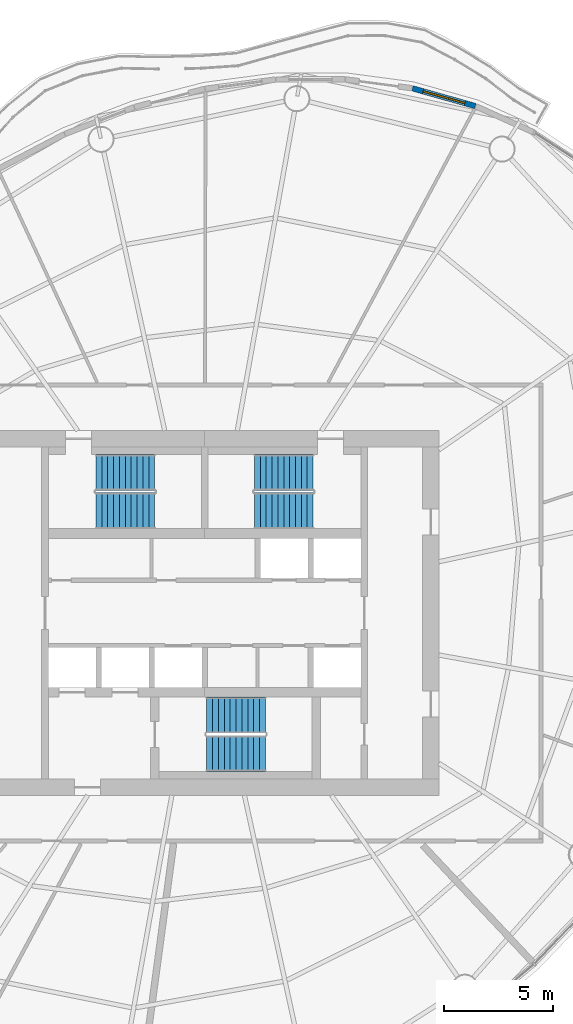
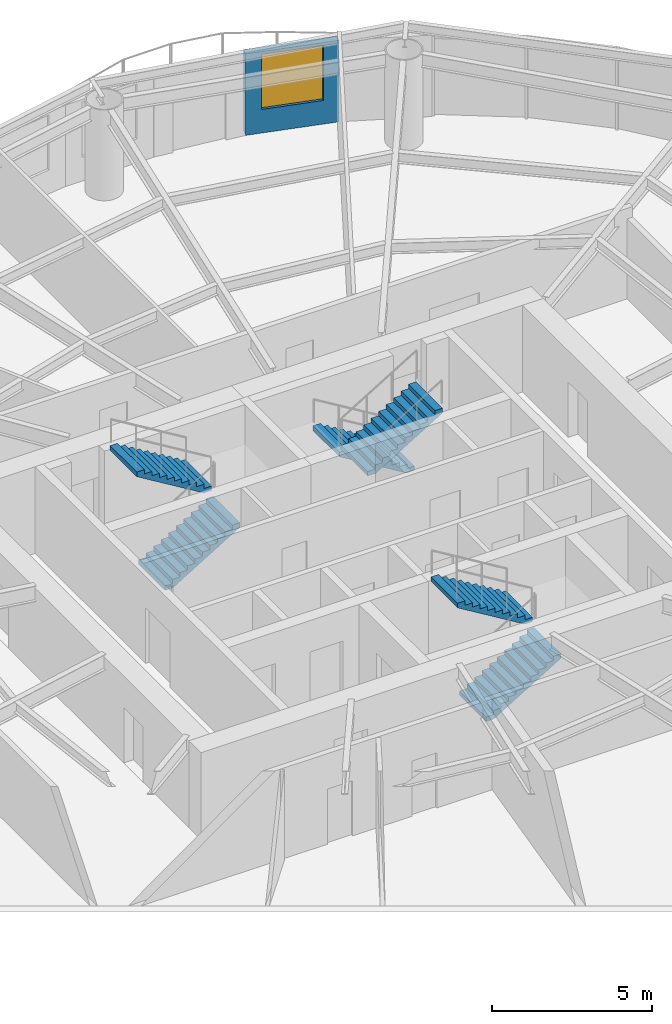
# One storey, part 11 of 14: 6 stair flights, 1 wall, 1 window, 1 opening, 3 elements without a shape of their own.
"""IFC4 building model written with IfcOpenShell, lengths in metres."""

from ifc_helpers import new_model, si_unit, direction, frame, frame_2d, origin, place, context, subcontext, project, spatial, polyline, rectangle, outline, extrude, material, layer, layer_set, type_object, element, fill, aggregate, save


model = new_model("IFC4")

# Units and contexts
model_context = context("Model", 3, precision=1e-05, world=origin(), true_north=direction((0.0, 1.0)))
body_context = subcontext(model_context, "Body", "Model", "MODEL_VIEW")
ifc_project = project(units=[si_unit("LENGTHUNIT", "METRE"), si_unit("AREAUNIT", "SQUARE_METRE"), si_unit("VOLUMEUNIT", "CUBIC_METRE"), si_unit("PLANEANGLEUNIT", "RADIAN"), si_unit("MASSUNIT", "GRAM", prefix="KILO")], contexts=[model_context])

# Site, building, storey
site_placement = place(None, origin())
site = spatial("IfcSite", under=ifc_project, at=site_placement, CompositionType="ELEMENT")
building_placement = place(site_placement, origin())
building = spatial("IfcBuilding", under=site, at=building_placement, Name="Vermilion Reach Broadcast Tower", CompositionType="ELEMENT")
storey_placement = place(building_placement, frame((0.0, 0.0, 206.5)))
storey = spatial("IfcBuildingStorey", under=building, at=storey_placement, Name="L50", CompositionType="ELEMENT", Elevation=206.5)

# Wall, opening, window
ifc_material_1 = material(Name="Terracotta rainscreen cladding", Category="masonry")
ifc_layer = layer(ifc_material_1, 0.25)
ifc_layer_set = layer_set([ifc_layer], Name="Terracotta rainscreen wall 250")
wall_type = type_object("IfcWallType", Name="Terracotta rainscreen wall 250", PredefinedType="SOLIDWALL", material=ifc_layer_set)
wall_placement = place(storey_placement, frame((6.47509765625, 23.349365234375, 0.0), z_axis=(0.0, 0.0, 1.0), x_axis=(-0.962400743331, 0.271633593717, 0.0)))
wall = element("IfcWall", 1, at=wall_placement, inside=storey, type_object=wall_type, Name="External wall L50 03", PredefinedType="SOLIDWALL", context=body_context, shape_type="SweptSolid", body=[
    extrude(rectangle(XDim=3.009033203125, YDim=0.25, at=frame_2d((1.50439453125, 0.0))), origin(), (0.0, 0.0, 1.0), 3.10009765625),
])
opening_placement = place(wall_placement, frame((0.50439453125, 0.0, 0.89990234375)))
opening = element("IfcOpeningElement", 2, at=opening_placement, cuts=wall, Name="Opening W03", PredefinedType="OPENING", context=body_context, shape_type="SweptSolid", body=[
    extrude(rectangle(XDim=2.0, YDim=2.10009765625, at=frame_2d((1.0, 1.050048828125))), frame((0.0, 0.135009765625, 0.0), z_axis=(0.0, -1.0, 0.0), x_axis=(1.0, 0.0, 0.0)), (0.0, 0.0, 1.0), 0.27001953125),
])
ifc_material_2 = material(Name="Low-e laminated clear glass in aluminium frame", Category="aluminium")
window_type = type_object("IfcWindowType", Name="Punched window 2000 x 2100 sill 900", PartitioningType="SINGLE_PANEL", PredefinedType="WINDOW", material=ifc_material_2)
window_placement = place(opening_placement, origin())
window = element("IfcWindow", 3, at=window_placement, inside=storey, type_object=window_type, Name="Window L50 03", OverallHeight=2.10009765625, OverallWidth=2.0, PartitioningType="SINGLE_PANEL", PredefinedType="WINDOW", context=body_context, shape_type="SweptSolid", body=[
    extrude(rectangle(XDim=2.0, YDim=2.10009765625, at=frame_2d((1.0, 1.050048828125))), frame((0.0, 0.030029296875, 0.0), z_axis=(0.0, -1.0, 0.0), x_axis=(1.0, 0.0, 0.0)), (0.0, 0.0, 1.0), 0.06005859375),
])
fill(opening, window)

# Stair, stair flights
ifc_material_3 = material(Name="Concrete C40", Category="concrete")
stair_type = type_object("IfcStairType", Name="Exit stair RC 22 risers 164 mm", PredefinedType="HALF_TURN_STAIR", material=ifc_material_3)
placement = place(storey_placement, origin())
stair_1 = element("IfcStair", 4, at=placement, inside=storey, type_object=stair_type, Name="L50 Exit stair ST1", PredefinedType="HALF_TURN_STAIR")
ifc_material_4 = material(Name="Concrete C40", Category="concrete")
stair_flight_type = type_object("IfcStairFlightType", Name="Exit stair flight RC 11 risers", PredefinedType="STRAIGHT", material=ifc_material_4)
stair_flight_1_placement = place(storey_placement, frame((-11.0, 4.7099609375, 0.0), z_axis=(0.0, 0.0, 1.0), x_axis=(1.0, 0.0, 0.0)))
stair_flight_1 = element("IfcStairFlight", 5, at=stair_flight_1_placement, type_object=stair_flight_type, Name="ST1 flight 1", NumberOfRisers=11, NumberOfTreads=10, PredefinedType="STRAIGHT", RiserHeight=0.163636364, TreadLength=0.27, context=body_context, shape_type="SweptSolid", body=[
    extrude(outline(polyline([(0.0, 0.0), (0.0, 0.16357421875), (0.27001953125, 0.16357421875), (0.27001953125, 0.327392578125), (0.5400390625, 0.327392578125), (0.5400390625, 0.490966796875), (0.81005859375, 0.490966796875), (0.81005859375, 0.654541015625), (1.080078125, 0.654541015625), (1.080078125, 0.818115234375), (1.35009765625, 0.818115234375), (1.35009765625, 0.98193359375), (1.6201171875, 0.98193359375), (1.6201171875, 1.1455078125), (1.889892578125, 1.1455078125), (1.889892578125, 1.30908203125), (2.159912109375, 1.30908203125), (2.159912109375, 1.47265625), (2.429931640625, 1.47265625), (2.429931640625, 1.636474609375), (2.699951171875, 1.636474609375), (2.699951171875, 1.800048828125), (2.699951171875, 1.461181640625), (0.289306640625, 0.0), (0.0, 0.0)])), frame((0.0, 0.830078125, 0.0), z_axis=(0.0, -1.0, 0.0), x_axis=(1.0, 0.0, 0.0)), (0.0, 0.0, 1.0), 1.659912109375),
])
stair_flight_2_placement = place(storey_placement, frame((-8.300048828125, 6.469970703125, 1.800048828125), z_axis=(0.0, 0.0, 1.0), x_axis=(-1.0, 0.0, 0.0)))
stair_flight_2 = element("IfcStairFlight", 6, at=stair_flight_2_placement, type_object=stair_flight_type, Name="ST1 flight 2", NumberOfRisers=11, NumberOfTreads=10, PredefinedType="STRAIGHT", RiserHeight=0.163636364, TreadLength=0.27, context=body_context, shape_type="SweptSolid", body=[
    extrude(outline(polyline([(0.0, 0.0), (0.0, 0.16357421875), (0.27001953125, 0.16357421875), (0.27001953125, 0.327392578125), (0.5400390625, 0.327392578125), (0.5400390625, 0.490966796875), (0.81005859375, 0.490966796875), (0.81005859375, 0.654541015625), (1.080078125, 0.654541015625), (1.080078125, 0.818115234375), (1.35009765625, 0.818115234375), (1.35009765625, 0.98193359375), (1.6201171875, 0.98193359375), (1.6201171875, 1.1455078125), (1.889892578125, 1.1455078125), (1.889892578125, 1.30908203125), (2.159912109375, 1.30908203125), (2.159912109375, 1.47265625), (2.429931640625, 1.47265625), (2.429931640625, 1.636474609375), (2.699951171875, 1.636474609375), (2.699951171875, 1.800048828125), (2.699951171875, 1.461181640625), (0.289306640625, 0.0), (0.0, 0.0)])), frame((0.0, 0.830078125, 0.0), z_axis=(0.0, -1.0, 0.0), x_axis=(1.0, 0.0, 0.0)), (0.0, 0.0, 1.0), 1.659912109375),
])
aggregate(stair_1, [stair_flight_1, stair_flight_2])

stair_2 = element("IfcStair", 7, at=placement, inside=storey, type_object=stair_type, Name="L50 Exit stair ST2", PredefinedType="HALF_TURN_STAIR")
stair_flight_3_placement = place(storey_placement, frame((-1.0, 6.469970703125, 0.0), z_axis=(0.0, 0.0, 1.0), x_axis=(-1.0, 0.0, 0.0)))
stair_flight_3 = element("IfcStairFlight", 8, at=stair_flight_3_placement, type_object=stair_flight_type, Name="ST2 flight 1", NumberOfRisers=11, NumberOfTreads=10, PredefinedType="STRAIGHT", RiserHeight=0.163636364, TreadLength=0.27, context=body_context, shape_type="SweptSolid", body=[
    extrude(outline(polyline([(0.0, 0.0), (0.0, 0.16357421875), (0.27001953125, 0.16357421875), (0.27001953125, 0.327392578125), (0.5400390625, 0.327392578125), (0.5400390625, 0.490966796875), (0.81005859375, 0.490966796875), (0.81005859375, 0.654541015625), (1.080078125, 0.654541015625), (1.080078125, 0.818115234375), (1.35009765625, 0.818115234375), (1.35009765625, 0.98193359375), (1.6201171875, 0.98193359375), (1.6201171875, 1.1455078125), (1.889892578125, 1.1455078125), (1.889892578125, 1.30908203125), (2.159912109375, 1.30908203125), (2.159912109375, 1.47265625), (2.429931640625, 1.47265625), (2.429931640625, 1.636474609375), (2.699951171875, 1.636474609375), (2.699951171875, 1.800048828125), (2.699951171875, 1.461181640625), (0.289306640625, 0.0), (0.0, 0.0)])), frame((0.0, 0.830078125, 0.0), z_axis=(0.0, -1.0, 0.0), x_axis=(1.0, 0.0, 0.0)), (0.0, 0.0, 1.0), 1.659912109375),
])
stair_flight_4_placement = place(storey_placement, frame((-3.699951171875, 4.7099609375, 1.800048828125), z_axis=(0.0, 0.0, 1.0), x_axis=(1.0, 0.0, 0.0)))
stair_flight_4 = element("IfcStairFlight", 9, at=stair_flight_4_placement, type_object=stair_flight_type, Name="ST2 flight 2", NumberOfRisers=11, NumberOfTreads=10, PredefinedType="STRAIGHT", RiserHeight=0.163636364, TreadLength=0.27, context=body_context, shape_type="SweptSolid", body=[
    extrude(outline(polyline([(0.0, 0.0), (0.0, 0.16357421875), (0.27001953125, 0.16357421875), (0.27001953125, 0.327392578125), (0.5400390625, 0.327392578125), (0.5400390625, 0.490966796875), (0.81005859375, 0.490966796875), (0.81005859375, 0.654541015625), (1.080078125, 0.654541015625), (1.080078125, 0.818115234375), (1.35009765625, 0.818115234375), (1.35009765625, 0.98193359375), (1.6201171875, 0.98193359375), (1.6201171875, 1.1455078125), (1.889892578125, 1.1455078125), (1.889892578125, 1.30908203125), (2.159912109375, 1.30908203125), (2.159912109375, 1.47265625), (2.429931640625, 1.47265625), (2.429931640625, 1.636474609375), (2.699951171875, 1.636474609375), (2.699951171875, 1.800048828125), (2.699951171875, 1.461181640625), (0.289306640625, 0.0), (0.0, 0.0)])), frame((0.0, 0.830078125, 0.0), z_axis=(0.0, -1.0, 0.0), x_axis=(1.0, 0.0, 0.0)), (0.0, 0.0, 1.0), 1.659912109375),
])
aggregate(stair_2, [stair_flight_3, stair_flight_4])

stair_3 = element("IfcStair", 10, at=placement, inside=storey, type_object=stair_type, Name="L50 Exit stair ST3", PredefinedType="HALF_TURN_STAIR")
stair_flight_5_placement = place(storey_placement, frame((-5.89990234375, -6.469970703125, 0.0), z_axis=(0.0, 0.0, 1.0), x_axis=(1.0, 0.0, 0.0)))
stair_flight_5 = element("IfcStairFlight", 11, at=stair_flight_5_placement, type_object=stair_flight_type, Name="ST3 flight 1", NumberOfRisers=11, NumberOfTreads=10, PredefinedType="STRAIGHT", RiserHeight=0.163636364, TreadLength=0.27, context=body_context, shape_type="SweptSolid", body=[
    extrude(outline(polyline([(0.0, 0.0), (0.0, 0.16357421875), (0.27001953125, 0.16357421875), (0.27001953125, 0.327392578125), (0.5400390625, 0.327392578125), (0.5400390625, 0.490966796875), (0.81005859375, 0.490966796875), (0.81005859375, 0.654541015625), (1.080078125, 0.654541015625), (1.080078125, 0.818115234375), (1.35009765625, 0.818115234375), (1.35009765625, 0.98193359375), (1.6201171875, 0.98193359375), (1.6201171875, 1.1455078125), (1.889892578125, 1.1455078125), (1.889892578125, 1.30908203125), (2.159912109375, 1.30908203125), (2.159912109375, 1.47265625), (2.429931640625, 1.47265625), (2.429931640625, 1.636474609375), (2.699951171875, 1.636474609375), (2.699951171875, 1.800048828125), (2.699951171875, 1.461181640625), (0.289306640625, 0.0), (0.0, 0.0)])), frame((0.0, 0.830078125, 0.0), z_axis=(0.0, -1.0, 0.0), x_axis=(1.0, 0.0, 0.0)), (0.0, 0.0, 1.0), 1.659912109375),
])
stair_flight_6_placement = place(storey_placement, frame((-3.199951171875, -4.7099609375, 1.800048828125), z_axis=(0.0, 0.0, 1.0), x_axis=(-1.0, 0.0, 0.0)))
stair_flight_6 = element("IfcStairFlight", 12, at=stair_flight_6_placement, type_object=stair_flight_type, Name="ST3 flight 2", NumberOfRisers=11, NumberOfTreads=10, PredefinedType="STRAIGHT", RiserHeight=0.163636364, TreadLength=0.27, context=body_context, shape_type="SweptSolid", body=[
    extrude(outline(polyline([(0.0, 0.0), (0.0, 0.16357421875), (0.27001953125, 0.16357421875), (0.27001953125, 0.327392578125), (0.5400390625, 0.327392578125), (0.5400390625, 0.490966796875), (0.81005859375, 0.490966796875), (0.81005859375, 0.654541015625), (1.080078125, 0.654541015625), (1.080078125, 0.818115234375), (1.35009765625, 0.818115234375), (1.35009765625, 0.98193359375), (1.6201171875, 0.98193359375), (1.6201171875, 1.1455078125), (1.889892578125, 1.1455078125), (1.889892578125, 1.30908203125), (2.159912109375, 1.30908203125), (2.159912109375, 1.47265625), (2.429931640625, 1.47265625), (2.429931640625, 1.636474609375), (2.699951171875, 1.636474609375), (2.699951171875, 1.800048828125), (2.699951171875, 1.461181640625), (0.289306640625, 0.0), (0.0, 0.0)])), frame((0.0, 0.830078125, 0.0), z_axis=(0.0, -1.0, 0.0), x_axis=(1.0, 0.0, 0.0)), (0.0, 0.0, 1.0), 1.659912109375),
])
aggregate(stair_3, [stair_flight_5, stair_flight_6])

save(model, "model.ifc")
